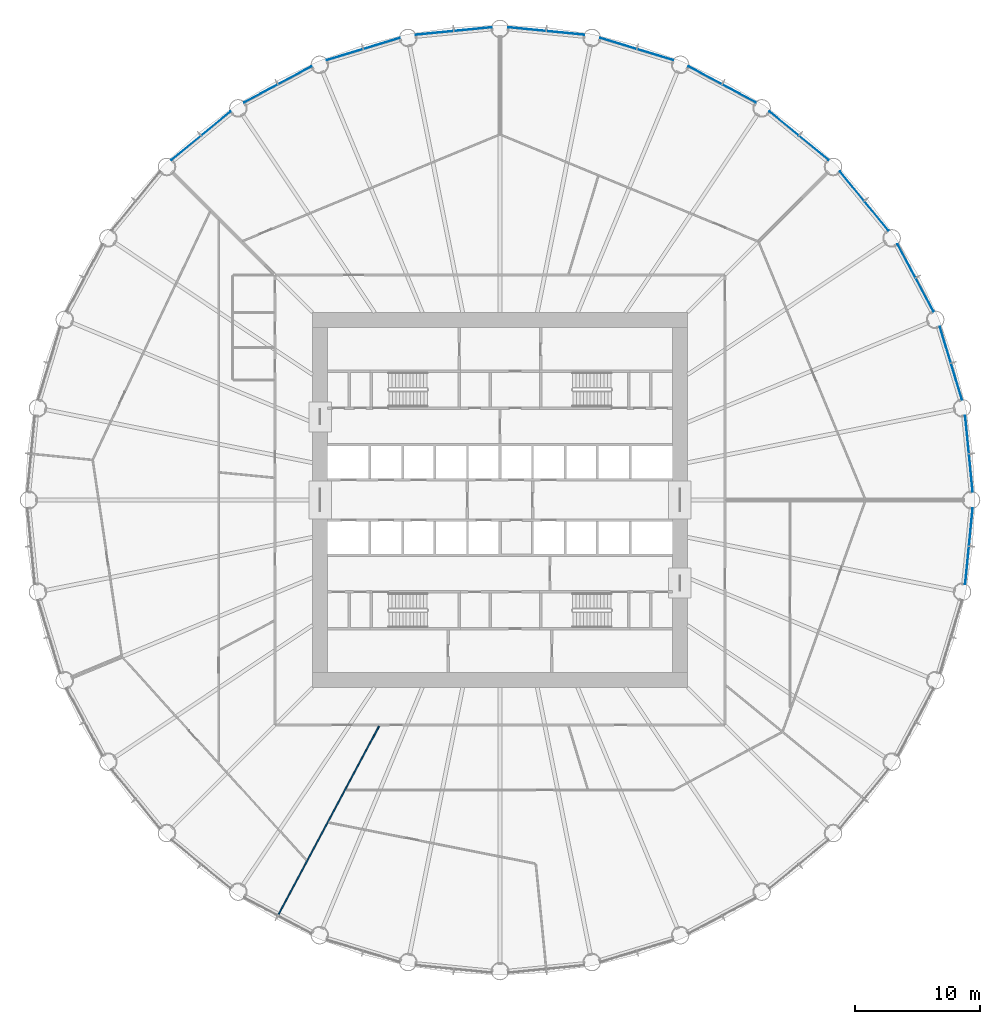
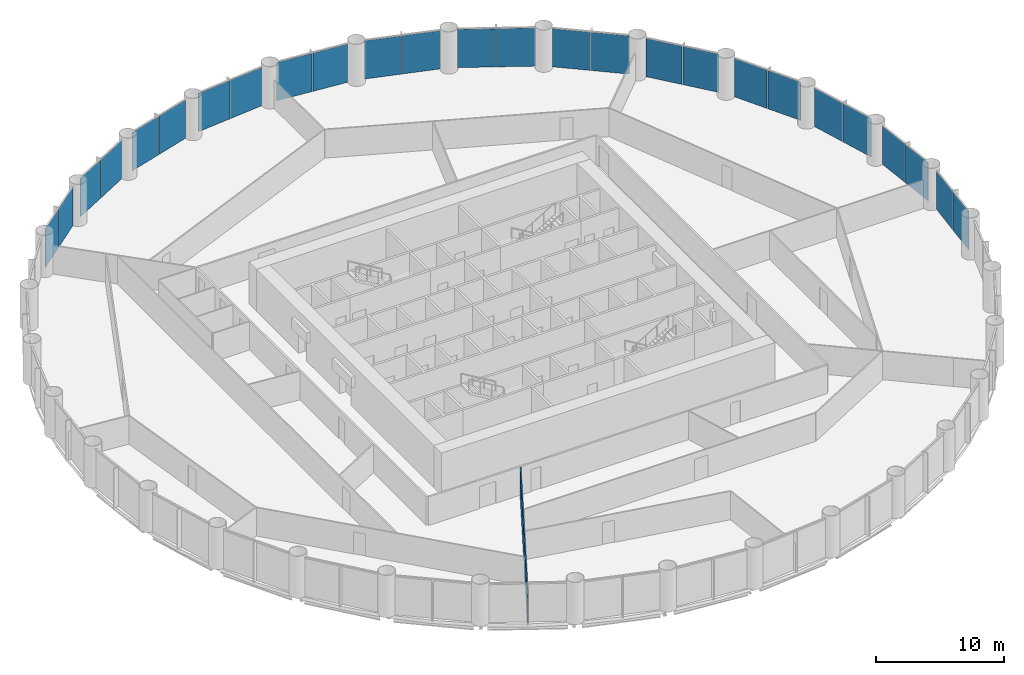
# One storey, part 9 of 15: 26 plates, 1 wall, 13 elements without a shape of their own.
"""IFC4 building model written with IfcOpenShell, lengths in metres."""

import ifcopenshell
import ifcopenshell.guid

model = None  # the IFC model being written
_history = None  # IfcOwnerHistory: only IFC2X3 demands one
_inside = {}  # id of a spatial element -> (the spatial element, [elements in it])
_under = {}  # id of a project, library or spatial element -> (it, [spatial elements below it])
_declared = {}  # id of a project -> (the project, [libraries it declares])
_typed = {}  # id of a type object -> (the type object, [elements of that type])
_made_of = {}  # id of a material, layer set ... -> (it, [elements and type objects made of it])


def new_model(schema):
    """Start an empty IFC model of exactly this schema.

    Asked for "IFC4X3", IfcOpenShell would pick the latest addendum, in which some entities
    have other attributes; the version numbers below select the first issue.
    IFC2X3 requires an IfcOwnerHistory on every rooted entity: one is made here for all.
    """
    global model, _history
    if schema == "IFC4X3":
        model = ifcopenshell.file(schema_version=(4, 3, 0, 0))
    else:
        model = ifcopenshell.file(schema=schema)
    _inside.clear()
    _under.clear()
    _declared.clear()
    _typed.clear()
    _made_of.clear()
    _history = None
    if model.schema == "IFC2X3":
        org = make("IfcOrganization", Name="unknown")
        user = make(
            "IfcPersonAndOrganization",
            ThePerson=make("IfcPerson", FamilyName="unknown"),
            TheOrganization=org,
        )
        app = make(
            "IfcApplication",
            ApplicationDeveloper=org,
            Version="unknown",
            ApplicationFullName="unknown",
            ApplicationIdentifier="unknown",
        )
        _history = make(
            "IfcOwnerHistory",
            OwningUser=user,
            OwningApplication=app,
            ChangeAction="ADDED",
            CreationDate=0,
        )
    return model


def make(cls, **values):
    """One entity of the class cls with the attributes given. An attribute that is None is left unset."""
    return model.create_entity(
        cls, **{name: value for name, value in values.items() if value is not None}
    )


def rooted(cls, **values):
    """An entity with a GlobalId (a new one), such as an element, a storey or a relation."""
    return make(cls, GlobalId=ifcopenshell.guid.new(), OwnerHistory=_history, **values)


def si_unit(unit_type, name, prefix=None):
    """IfcSIUnit, for example si_unit("LENGTHUNIT", "METRE", prefix="MILLI")."""
    return make("IfcSIUnit", UnitType=unit_type, Prefix=prefix, Name=name)


def assignment(units):
    """IfcUnitAssignment: the units of a project."""
    return None if units is None else make("IfcUnitAssignment", Units=units)


def point(xyz):
    """IfcCartesianPoint."""
    return None if xyz is None else make("IfcCartesianPoint", Coordinates=xyz)


def direction(xyz):
    """IfcDirection."""
    return None if xyz is None else make("IfcDirection", DirectionRatios=xyz)


def frame(location, z_axis=None, x_axis=None):
    """IfcAxis2Placement3D, a coordinate frame: its origin and axes. An axis left out is left unset."""
    return make(
        "IfcAxis2Placement3D",
        Location=point(location),
        Axis=direction(z_axis),
        RefDirection=direction(x_axis),
    )


def frame_2d(location, x_axis=None):
    """IfcAxis2Placement2D, a coordinate frame in the plane: its origin and x axis."""
    return make(
        "IfcAxis2Placement2D", Location=point(location), RefDirection=direction(x_axis)
    )


def origin():
    """The frame at (0, 0, 0) with its axes left unset."""
    return frame((0.0, 0.0, 0.0))


def origin_2d():
    """The frame at (0, 0) in the plane with its x axis left unset."""
    return frame_2d((0.0, 0.0))


def place(relative_to, where):
    """IfcLocalPlacement: puts the frame where relative to a parent placement (None: the world)."""
    return make(
        "IfcLocalPlacement", PlacementRelTo=relative_to, RelativePlacement=where
    )


def context(
    kind, dimensions, precision=None, world=None, true_north=None, identifier=None
):
    """IfcGeometricRepresentationContext, for example the 3D "Model" context."""
    return make(
        "IfcGeometricRepresentationContext",
        ContextIdentifier=identifier,
        ContextType=kind,
        CoordinateSpaceDimension=dimensions,
        Precision=precision,
        WorldCoordinateSystem=world,
        TrueNorth=true_north,
    )


def subcontext(parent, identifier, kind, view, scale=None):
    """IfcGeometricRepresentationSubContext, for example "Body" below "Model"."""
    return make(
        "IfcGeometricRepresentationSubContext",
        ContextIdentifier=identifier,
        ContextType=kind,
        ParentContext=parent,
        TargetScale=scale,
        TargetView=view,
    )


def project(units=None, contexts=None):
    """IfcProject with its units and contexts."""
    return rooted(
        "IfcProject",
        Name="project",
        RepresentationContexts=contexts,
        UnitsInContext=assignment(units),
    )


def spatial(cls, under=None, at=None, **own):
    """A site, building, storey or space (cls), placed at a placement, below another one or the project."""
    s = rooted(cls, ObjectPlacement=at, **own)
    if under is not None:
        _under.setdefault(under.id(), (under, []))[1].append(s)
    return s


def profile(cls, at=None, kind="AREA", **sizes):
    """A parametric profile (cls). Its sizes go by their IFC names, for example OverallWidth=200.0."""
    return make(cls, ProfileType=kind, Position=at, **sizes)


def rectangle(**sizes):
    """IfcRectangleProfileDef."""
    return profile("IfcRectangleProfileDef", **sizes)


def extrude(swept, where, along, depth):
    """IfcExtrudedAreaSolid: the profile swept, set in the frame where, extruded along a direction by depth."""
    return make(
        "IfcExtrudedAreaSolid",
        SweptArea=swept,
        Position=where,
        ExtrudedDirection=direction(along),
        Depth=depth,
    )


def shape(context_of_items, identifier, shape_type, items):
    """IfcShapeRepresentation: the items that make up one representation, for example the "Body"."""
    return make(
        "IfcShapeRepresentation",
        ContextOfItems=context_of_items,
        RepresentationIdentifier=identifier,
        RepresentationType=shape_type,
        Items=items,
    )


def material(Name=None, Category=None):
    """IfcMaterial."""
    return make("IfcMaterial", Name=Name, Category=Category)


def layer(
    of_material, thickness, ventilated=None, Name=None, Category=None, Priority=None
):
    """IfcMaterialLayer: one layer of a wall or slab, of a material (None: an air gap)."""
    return make(
        "IfcMaterialLayer",
        Material=of_material,
        LayerThickness=thickness,
        IsVentilated=ventilated,
        Name=Name,
        Category=Category,
        Priority=Priority,
    )


def layer_set(layers, Name=None):
    """IfcMaterialLayerSet."""
    return make("IfcMaterialLayerSet", MaterialLayers=layers, LayerSetName=Name)


def made_of(thing, what):
    """Note that an element or type object is made of a material, layer set ...; save() writes the relation."""
    if what is not None:
        _made_of.setdefault(what.id(), (what, []))[1].append(thing)
    return thing


def type_object(cls, material=None, **own):
    """A type object (cls), such as IfcWallType, which elements share."""
    return made_of(rooted(cls, **own), material)


def element(
    cls,
    number,
    at=None,
    inside=None,
    cuts=None,
    type_object=None,
    material=None,
    context=None,
    identifier="Body",
    shape_type=None,
    held_by="IfcProductDefinitionShape",
    body=None,
    shapes=None,
    **own,
):
    """One element of the class cls, such as IfcWall. Its Tag is "e" and its number.

    at: its placement. inside: the storey or other place that contains it. cuts: it is an
    opening in that element (IfcRelVoidsElement). A single representation is given by context,
    identifier, shape_type and body (its items); several are given by shapes. held_by: the class
    of the entity that holds the representations. save() writes the other relations.
    """
    e = rooted(cls, Tag="e%d" % number, ObjectPlacement=at, **own)
    if body is not None:
        shapes = [shape(context, identifier, shape_type, body)]
    if shapes is not None:
        e.Representation = make(held_by, Representations=shapes)
    if inside is not None:
        _inside.setdefault(inside.id(), (inside, []))[1].append(e)
    if cuts is not None:
        rooted(
            "IfcRelVoidsElement", RelatingBuildingElement=cuts, RelatedOpeningElement=e
        )
    if type_object is not None:
        _typed.setdefault(type_object.id(), (type_object, []))[1].append(e)
    return made_of(e, material)


def aggregate(whole, parts):
    """IfcRelAggregates: a whole, such as a stair, and the parts it consists of."""
    return rooted("IfcRelAggregates", RelatingObject=whole, RelatedObjects=parts)


def save(model, path):
    """Write the relations noted so far, then the file.

    IfcRelAggregates (storeys below a building ...), IfcRelContainedInSpatialStructure (elements
    in a storey), IfcRelDefinesByType, IfcRelAssociatesMaterial and IfcRelDeclares: one each for
    every whole, place, type object, material and project.
    """
    for whole, parts in _under.values():
        aggregate(whole, parts)
    for where, things in _inside.values():
        rooted(
            "IfcRelContainedInSpatialStructure",
            RelatedElements=things,
            RelatingStructure=where,
        )
    for kind, things in _typed.values():
        rooted("IfcRelDefinesByType", RelatedObjects=things, RelatingType=kind)
    for what, things in _made_of.values():
        rooted("IfcRelAssociatesMaterial", RelatedObjects=things, RelatingMaterial=what)
    for by, libraries in _declared.values():
        rooted("IfcRelDeclares", RelatingContext=by, RelatedDefinitions=libraries)
    model.write(path)


model = new_model("IFC4")

# Units and contexts
model_context = context("Model", 3, precision=1e-05, world=origin(), true_north=direction((0.0, 1.0)))
body_context = subcontext(model_context, "Body", "Model", "MODEL_VIEW")
ifc_project = project(units=[si_unit("LENGTHUNIT", "METRE"), si_unit("AREAUNIT", "SQUARE_METRE"), si_unit("VOLUMEUNIT", "CUBIC_METRE"), si_unit("PLANEANGLEUNIT", "RADIAN"), si_unit("MASSUNIT", "GRAM", prefix="KILO")], contexts=[model_context])

# Site, building, storey
site_placement = place(None, origin())
site = spatial("IfcSite", under=ifc_project, at=site_placement, CompositionType="ELEMENT")
building_placement = place(site_placement, origin())
building = spatial("IfcBuilding", under=site, at=building_placement, Name="Corvane Civic Tower", CompositionType="ELEMENT")
storey_placement = place(building_placement, frame((0.0, 0.0, 61.0)))
storey = spatial("IfcBuildingStorey", under=building, at=storey_placement, Name="L13", CompositionType="ELEMENT", Elevation=61.0)

# Curtain wall, plates
ifc_material_1 = material(Name="Anodised aluminium bronze", Category="aluminium")
curtain_wall_type = type_object("IfcCurtainWallType", Name="TOWER CW-T1 STICK CURTAIN WALL", PredefinedType="NOTDEFINED", material=ifc_material_1)
curtain_wall_1_placement = place(storey_placement, origin())
curtain_wall_1 = element("IfcCurtainWall", 1, at=curtain_wall_1_placement, inside=storey, type_object=curtain_wall_type, Name="Curtain wall CW-T1 L13 bay 01", PredefinedType="NOTDEFINED")
ifc_material_2 = material(Name="Tinted glass", Category="glass")
ifc_layer_1 = layer(ifc_material_2, 0.035888671875)
ifc_layer_set_1 = layer_set([ifc_layer_1], Name="Tinted glass")
plate_type = type_object("IfcPlateType", Name="TOWER CW-T1 PANEL IGU36", PredefinedType="CURTAIN_PANEL", material=ifc_layer_set_1)
plate_1_placement = place(storey_placement, frame((2.158203125, 37.667236328125, 0.0), z_axis=(0.0, 0.0, 1.0), x_axis=(0.995185800248, -0.098006239521, 0.0)))
plate_1 = element("IfcPlate", 2, at=plate_1_placement, type_object=plate_type, Name="Glass panel CW-T1 L13 01.1", PredefinedType="CURTAIN_PANEL", context=body_context, shape_type="SweptSolid", body=[
    extrude(rectangle(XDim=3.008544921875, YDim=0.035888671875, at=origin_2d()), origin(), (0.0, 0.0, 1.0), 3.6298828125),
])
plate_2_placement = place(storey_placement, frame((5.23193359375, 37.36474609375, 0.0), z_axis=(0.0, 0.0, 1.0), x_axis=(0.995185800248, -0.098006239521, 0.0)))
plate_2 = element("IfcPlate", 3, at=plate_2_placement, type_object=plate_type, Name="Glass panel CW-T1 L13 01.2", PredefinedType="CURTAIN_PANEL", context=body_context, shape_type="SweptSolid", body=[
    extrude(rectangle(XDim=3.008544921875, YDim=0.035888671875, at=origin_2d()), origin(), (0.0, 0.0, 1.0), 3.6298828125),
])
aggregate(curtain_wall_1, [plate_1, plate_2])

curtain_wall_2_placement = place(storey_placement, origin())
curtain_wall_2 = element("IfcCurtainWall", 4, at=curtain_wall_2_placement, inside=storey, type_object=curtain_wall_type, Name="Curtain wall CW-T1 L13 bay 02", PredefinedType="NOTDEFINED")
plate_3_placement = place(storey_placement, frame((9.46533203125, 36.522705078125, 0.0), z_axis=(0.0, 0.0, 1.0), x_axis=(0.956942240606, -0.290278397654, 0.0)))
plate_3 = element("IfcPlate", 5, at=plate_3_placement, type_object=plate_type, Name="Glass panel CW-T1 L13 02.1", PredefinedType="CURTAIN_PANEL", context=body_context, shape_type="SweptSolid", body=[
    extrude(rectangle(XDim=3.008544921875, YDim=0.035888671875, at=origin_2d()), origin(), (0.0, 0.0, 1.0), 3.6298828125),
])
plate_4_placement = place(storey_placement, frame((12.4208984375, 35.6259765625, 0.0), z_axis=(0.0, 0.0, 1.0), x_axis=(0.956942240606, -0.290278397654, 0.0)))
plate_4 = element("IfcPlate", 6, at=plate_4_placement, type_object=plate_type, Name="Glass panel CW-T1 L13 02.2", PredefinedType="CURTAIN_PANEL", context=body_context, shape_type="SweptSolid", body=[
    extrude(rectangle(XDim=3.008544921875, YDim=0.035888671875, at=origin_2d()), origin(), (0.0, 0.0, 1.0), 3.6298828125),
])
aggregate(curtain_wall_2, [plate_3, plate_4])

curtain_wall_3_placement = place(storey_placement, origin())
curtain_wall_3 = element("IfcCurtainWall", 7, at=curtain_wall_3_placement, inside=storey, type_object=curtain_wall_type, Name="Curtain wall CW-T1 L13 bay 03", PredefinedType="NOTDEFINED")
plate_5_placement = place(storey_placement, frame((16.40869140625, 33.974365234375, 0.0), z_axis=(0.0, 0.0, 1.0), x_axis=(0.881917528864, -0.471403725359, 0.0)))
plate_5 = element("IfcPlate", 8, at=plate_5_placement, type_object=plate_type, Name="Glass panel CW-T1 L13 03.1", PredefinedType="CURTAIN_PANEL", context=body_context, shape_type="SweptSolid", body=[
    extrude(rectangle(XDim=3.008544921875, YDim=0.035888671875, at=origin_2d()), origin(), (0.0, 0.0, 1.0), 3.6298828125),
])
plate_6_placement = place(storey_placement, frame((19.132568359375, 32.518310546875, 0.0), z_axis=(0.0, 0.0, 1.0), x_axis=(0.881917528864, -0.471403725359, 0.0)))
plate_6 = element("IfcPlate", 9, at=plate_6_placement, type_object=plate_type, Name="Glass panel CW-T1 L13 03.2", PredefinedType="CURTAIN_PANEL", context=body_context, shape_type="SweptSolid", body=[
    extrude(rectangle(XDim=3.008544921875, YDim=0.035888671875, at=origin_2d()), origin(), (0.0, 0.0, 1.0), 3.6298828125),
])
aggregate(curtain_wall_3, [plate_5, plate_6])

curtain_wall_4_placement = place(storey_placement, origin())
curtain_wall_4 = element("IfcCurtainWall", 10, at=curtain_wall_4_placement, inside=storey, type_object=curtain_wall_type, Name="Curtain wall CW-T1 L13 bay 04", PredefinedType="NOTDEFINED")
plate_7_placement = place(storey_placement, frame((22.721435546875, 30.120361328125, 0.0), z_axis=(0.0, 0.0, 1.0), x_axis=(0.773007224463, -0.634397218569, 0.0)))
plate_7 = element("IfcPlate", 11, at=plate_7_placement, type_object=plate_type, Name="Glass panel CW-T1 L13 04.1", PredefinedType="CURTAIN_PANEL", context=body_context, shape_type="SweptSolid", body=[
    extrude(rectangle(XDim=3.008544921875, YDim=0.035888671875, at=origin_2d()), origin(), (0.0, 0.0, 1.0), 3.6298828125),
])
plate_8_placement = place(storey_placement, frame((25.10888671875, 28.160888671875, 0.0), z_axis=(0.0, 0.0, 1.0), x_axis=(0.773007224463, -0.634397218569, 0.0)))
plate_8 = element("IfcPlate", 12, at=plate_8_placement, type_object=plate_type, Name="Glass panel CW-T1 L13 04.2", PredefinedType="CURTAIN_PANEL", context=body_context, shape_type="SweptSolid", body=[
    extrude(rectangle(XDim=3.008544921875, YDim=0.035888671875, at=origin_2d()), origin(), (0.0, 0.0, 1.0), 3.6298828125),
])
aggregate(curtain_wall_4, [plate_7, plate_8])

curtain_wall_5_placement = place(storey_placement, origin())
curtain_wall_5 = element("IfcCurtainWall", 13, at=curtain_wall_5_placement, inside=storey, type_object=curtain_wall_type, Name="Curtain wall CW-T1 L13 bay 05", PredefinedType="NOTDEFINED")
plate_9_placement = place(storey_placement, frame((28.160888671875, 25.10888671875, 0.0), z_axis=(0.0, 0.0, 1.0), x_axis=(0.634397218569, -0.773007224463, 0.0)))
plate_9 = element("IfcPlate", 14, at=plate_9_placement, type_object=plate_type, Name="Glass panel CW-T1 L13 05.1", PredefinedType="CURTAIN_PANEL", context=body_context, shape_type="SweptSolid", body=[
    extrude(rectangle(XDim=3.008544921875, YDim=0.035888671875, at=origin_2d()), origin(), (0.0, 0.0, 1.0), 3.6298828125),
])
plate_10_placement = place(storey_placement, frame((30.120361328125, 22.721435546875, 0.0), z_axis=(0.0, 0.0, 1.0), x_axis=(0.634397218569, -0.773007224463, 0.0)))
plate_10 = element("IfcPlate", 15, at=plate_10_placement, type_object=plate_type, Name="Glass panel CW-T1 L13 05.2", PredefinedType="CURTAIN_PANEL", context=body_context, shape_type="SweptSolid", body=[
    extrude(rectangle(XDim=3.008544921875, YDim=0.035888671875, at=origin_2d()), origin(), (0.0, 0.0, 1.0), 3.6298828125),
])
aggregate(curtain_wall_5, [plate_9, plate_10])

curtain_wall_6_placement = place(storey_placement, origin())
curtain_wall_6 = element("IfcCurtainWall", 16, at=curtain_wall_6_placement, inside=storey, type_object=curtain_wall_type, Name="Curtain wall CW-T1 L13 bay 06", PredefinedType="NOTDEFINED")
plate_11_placement = place(storey_placement, frame((32.518310546875, 19.132568359375, 0.0), z_axis=(0.0, 0.0, 1.0), x_axis=(0.471403725359, -0.881917528864, 0.0)))
plate_11 = element("IfcPlate", 17, at=plate_11_placement, type_object=plate_type, Name="Glass panel CW-T1 L13 06.1", PredefinedType="CURTAIN_PANEL", context=body_context, shape_type="SweptSolid", body=[
    extrude(rectangle(XDim=3.008544921875, YDim=0.035888671875, at=origin_2d()), origin(), (0.0, 0.0, 1.0), 3.6298828125),
])
plate_12_placement = place(storey_placement, frame((33.974365234375, 16.40869140625, 0.0), z_axis=(0.0, 0.0, 1.0), x_axis=(0.471403725359, -0.881917528864, 0.0)))
plate_12 = element("IfcPlate", 18, at=plate_12_placement, type_object=plate_type, Name="Glass panel CW-T1 L13 06.2", PredefinedType="CURTAIN_PANEL", context=body_context, shape_type="SweptSolid", body=[
    extrude(rectangle(XDim=3.008544921875, YDim=0.035888671875, at=origin_2d()), origin(), (0.0, 0.0, 1.0), 3.6298828125),
])
aggregate(curtain_wall_6, [plate_11, plate_12])

curtain_wall_7_placement = place(storey_placement, origin())
curtain_wall_7 = element("IfcCurtainWall", 19, at=curtain_wall_7_placement, inside=storey, type_object=curtain_wall_type, Name="Curtain wall CW-T1 L13 bay 07", PredefinedType="NOTDEFINED")
plate_13_placement = place(storey_placement, frame((35.6259765625, 12.4208984375, 0.0), z_axis=(0.0, 0.0, 1.0), x_axis=(0.290278397654, -0.956942240606, 0.0)))
plate_13 = element("IfcPlate", 20, at=plate_13_placement, type_object=plate_type, Name="Glass panel CW-T1 L13 07.1", PredefinedType="CURTAIN_PANEL", context=body_context, shape_type="SweptSolid", body=[
    extrude(rectangle(XDim=3.008544921875, YDim=0.035888671875, at=origin_2d()), origin(), (0.0, 0.0, 1.0), 3.6298828125),
])
plate_14_placement = place(storey_placement, frame((36.522705078125, 9.46533203125, 0.0), z_axis=(0.0, 0.0, 1.0), x_axis=(0.290278397654, -0.956942240606, 0.0)))
plate_14 = element("IfcPlate", 21, at=plate_14_placement, type_object=plate_type, Name="Glass panel CW-T1 L13 07.2", PredefinedType="CURTAIN_PANEL", context=body_context, shape_type="SweptSolid", body=[
    extrude(rectangle(XDim=3.008544921875, YDim=0.035888671875, at=origin_2d()), origin(), (0.0, 0.0, 1.0), 3.6298828125),
])
aggregate(curtain_wall_7, [plate_13, plate_14])

curtain_wall_8_placement = place(storey_placement, origin())
curtain_wall_8 = element("IfcCurtainWall", 22, at=curtain_wall_8_placement, inside=storey, type_object=curtain_wall_type, Name="Curtain wall CW-T1 L13 bay 08", PredefinedType="NOTDEFINED")
plate_15_placement = place(storey_placement, frame((37.36474609375, 5.23193359375, 0.0), z_axis=(0.0, 0.0, 1.0), x_axis=(0.098006239521, -0.995185800248, 0.0)))
plate_15 = element("IfcPlate", 23, at=plate_15_placement, type_object=plate_type, Name="Glass panel CW-T1 L13 08.1", PredefinedType="CURTAIN_PANEL", context=body_context, shape_type="SweptSolid", body=[
    extrude(rectangle(XDim=3.008544921875, YDim=0.035888671875, at=origin_2d()), origin(), (0.0, 0.0, 1.0), 3.6298828125),
])
plate_16_placement = place(storey_placement, frame((37.667236328125, 2.158203125, 0.0), z_axis=(0.0, 0.0, 1.0), x_axis=(0.098006239521, -0.995185800248, 0.0)))
plate_16 = element("IfcPlate", 24, at=plate_16_placement, type_object=plate_type, Name="Glass panel CW-T1 L13 08.2", PredefinedType="CURTAIN_PANEL", context=body_context, shape_type="SweptSolid", body=[
    extrude(rectangle(XDim=3.008544921875, YDim=0.035888671875, at=origin_2d()), origin(), (0.0, 0.0, 1.0), 3.6298828125),
])
aggregate(curtain_wall_8, [plate_15, plate_16])

curtain_wall_9_placement = place(storey_placement, origin())
curtain_wall_9 = element("IfcCurtainWall", 25, at=curtain_wall_9_placement, inside=storey, type_object=curtain_wall_type, Name="Curtain wall CW-T1 L13 bay 09", PredefinedType="NOTDEFINED")
plate_17_placement = place(storey_placement, frame((37.667236328125, -2.158203125, 0.0), z_axis=(0.0, 0.0, 1.0), x_axis=(-0.098006239521, -0.995185800248, 0.0)))
plate_17 = element("IfcPlate", 26, at=plate_17_placement, type_object=plate_type, Name="Glass panel CW-T1 L13 09.1", PredefinedType="CURTAIN_PANEL", context=body_context, shape_type="SweptSolid", body=[
    extrude(rectangle(XDim=3.008544921875, YDim=0.035888671875, at=origin_2d()), origin(), (0.0, 0.0, 1.0), 3.6298828125),
])
plate_18_placement = place(storey_placement, frame((37.36474609375, -5.23193359375, 0.0), z_axis=(0.0, 0.0, 1.0), x_axis=(-0.098006239521, -0.995185800248, 0.0)))
plate_18 = element("IfcPlate", 27, at=plate_18_placement, type_object=plate_type, Name="Glass panel CW-T1 L13 09.2", PredefinedType="CURTAIN_PANEL", context=body_context, shape_type="SweptSolid", body=[
    extrude(rectangle(XDim=3.008544921875, YDim=0.035888671875, at=origin_2d()), origin(), (0.0, 0.0, 1.0), 3.6298828125),
])
aggregate(curtain_wall_9, [plate_17, plate_18])

curtain_wall_10_placement = place(storey_placement, origin())
curtain_wall_10 = element("IfcCurtainWall", 28, at=curtain_wall_10_placement, inside=storey, type_object=curtain_wall_type, Name="Curtain wall CW-T1 L13 bay 29", PredefinedType="NOTDEFINED")
plate_19_placement = place(storey_placement, frame((-25.10888671875, 28.160888671875, 0.0), z_axis=(0.0, 0.0, 1.0), x_axis=(0.773007224463, 0.634397218569, 0.0)))
plate_19 = element("IfcPlate", 29, at=plate_19_placement, type_object=plate_type, Name="Glass panel CW-T1 L13 29.1", PredefinedType="CURTAIN_PANEL", context=body_context, shape_type="SweptSolid", body=[
    extrude(rectangle(XDim=3.008544921875, YDim=0.035888671875, at=origin_2d()), origin(), (0.0, 0.0, 1.0), 3.6298828125),
])
plate_20_placement = place(storey_placement, frame((-22.721435546875, 30.120361328125, 0.0), z_axis=(0.0, 0.0, 1.0), x_axis=(0.773007224463, 0.634397218569, 0.0)))
plate_20 = element("IfcPlate", 30, at=plate_20_placement, type_object=plate_type, Name="Glass panel CW-T1 L13 29.2", PredefinedType="CURTAIN_PANEL", context=body_context, shape_type="SweptSolid", body=[
    extrude(rectangle(XDim=3.008544921875, YDim=0.035888671875, at=origin_2d()), origin(), (0.0, 0.0, 1.0), 3.6298828125),
])
aggregate(curtain_wall_10, [plate_19, plate_20])

curtain_wall_11_placement = place(storey_placement, origin())
curtain_wall_11 = element("IfcCurtainWall", 31, at=curtain_wall_11_placement, inside=storey, type_object=curtain_wall_type, Name="Curtain wall CW-T1 L13 bay 30", PredefinedType="NOTDEFINED")
plate_21_placement = place(storey_placement, frame((-19.132568359375, 32.518310546875, 0.0), z_axis=(0.0, 0.0, 1.0), x_axis=(0.881917528864, 0.471403725359, 0.0)))
plate_21 = element("IfcPlate", 32, at=plate_21_placement, type_object=plate_type, Name="Glass panel CW-T1 L13 30.1", PredefinedType="CURTAIN_PANEL", context=body_context, shape_type="SweptSolid", body=[
    extrude(rectangle(XDim=3.008544921875, YDim=0.035888671875, at=origin_2d()), origin(), (0.0, 0.0, 1.0), 3.6298828125),
])
plate_22_placement = place(storey_placement, frame((-16.40869140625, 33.974365234375, 0.0), z_axis=(0.0, 0.0, 1.0), x_axis=(0.881917528864, 0.471403725359, 0.0)))
plate_22 = element("IfcPlate", 33, at=plate_22_placement, type_object=plate_type, Name="Glass panel CW-T1 L13 30.2", PredefinedType="CURTAIN_PANEL", context=body_context, shape_type="SweptSolid", body=[
    extrude(rectangle(XDim=3.008544921875, YDim=0.035888671875, at=origin_2d()), origin(), (0.0, 0.0, 1.0), 3.6298828125),
])
aggregate(curtain_wall_11, [plate_21, plate_22])

curtain_wall_12_placement = place(storey_placement, origin())
curtain_wall_12 = element("IfcCurtainWall", 34, at=curtain_wall_12_placement, inside=storey, type_object=curtain_wall_type, Name="Curtain wall CW-T1 L13 bay 31", PredefinedType="NOTDEFINED")
plate_23_placement = place(storey_placement, frame((-12.4208984375, 35.6259765625, 0.0), z_axis=(0.0, 0.0, 1.0), x_axis=(0.956942240606, 0.290278397654, 0.0)))
plate_23 = element("IfcPlate", 35, at=plate_23_placement, type_object=plate_type, Name="Glass panel CW-T1 L13 31.1", PredefinedType="CURTAIN_PANEL", context=body_context, shape_type="SweptSolid", body=[
    extrude(rectangle(XDim=3.008544921875, YDim=0.035888671875, at=origin_2d()), origin(), (0.0, 0.0, 1.0), 3.6298828125),
])
plate_24_placement = place(storey_placement, frame((-9.46533203125, 36.522705078125, 0.0), z_axis=(0.0, 0.0, 1.0), x_axis=(0.956942240606, 0.290278397654, 0.0)))
plate_24 = element("IfcPlate", 36, at=plate_24_placement, type_object=plate_type, Name="Glass panel CW-T1 L13 31.2", PredefinedType="CURTAIN_PANEL", context=body_context, shape_type="SweptSolid", body=[
    extrude(rectangle(XDim=3.008544921875, YDim=0.035888671875, at=origin_2d()), origin(), (0.0, 0.0, 1.0), 3.6298828125),
])
aggregate(curtain_wall_12, [plate_23, plate_24])

curtain_wall_13_placement = place(storey_placement, origin())
curtain_wall_13 = element("IfcCurtainWall", 37, at=curtain_wall_13_placement, inside=storey, type_object=curtain_wall_type, Name="Curtain wall CW-T1 L13 bay 32", PredefinedType="NOTDEFINED")
plate_25_placement = place(storey_placement, frame((-5.23193359375, 37.36474609375, 0.0), z_axis=(0.0, 0.0, 1.0), x_axis=(0.995185800248, 0.098006239521, 0.0)))
plate_25 = element("IfcPlate", 38, at=plate_25_placement, type_object=plate_type, Name="Glass panel CW-T1 L13 32.1", PredefinedType="CURTAIN_PANEL", context=body_context, shape_type="SweptSolid", body=[
    extrude(rectangle(XDim=3.008544921875, YDim=0.035888671875, at=origin_2d()), origin(), (0.0, 0.0, 1.0), 3.6298828125),
])
plate_26_placement = place(storey_placement, frame((-2.158203125, 37.667236328125, 0.0), z_axis=(0.0, 0.0, 1.0), x_axis=(0.995185800248, 0.098006239521, 0.0)))
plate_26 = element("IfcPlate", 39, at=plate_26_placement, type_object=plate_type, Name="Glass panel CW-T1 L13 32.2", PredefinedType="CURTAIN_PANEL", context=body_context, shape_type="SweptSolid", body=[
    extrude(rectangle(XDim=3.008544921875, YDim=0.035888671875, at=origin_2d()), origin(), (0.0, 0.0, 1.0), 3.6298828125),
])
aggregate(curtain_wall_13, [plate_25, plate_26])

# Wall
ifc_material_3 = material(Name="Plasterboard")
ifc_layer_2 = layer(ifc_material_3, 0.10009765625)
ifc_layer_set_2 = layer_set([ifc_layer_2], Name="Plasterboard")
wall_type = type_object("IfcWallType", Name="Partition 100 plasterboard on studs", PredefinedType="PARTITIONING", material=ifc_layer_set_2)
wall_placement = place(storey_placement, frame((-17.8896484375, -33.468994140625, 0.0), z_axis=(0.0, 0.0, 1.0), x_axis=(0.471405261517, 0.881916707753, 0.0)))
element("IfcWall", 40, at=wall_placement, inside=storey, type_object=wall_type, Name="Partition L13.002", PredefinedType="PARTITIONING", context=body_context, shape_type="SweptSolid", body=[
    extrude(rectangle(XDim=17.428466796875, YDim=0.10009765625, at=frame_2d((8.71435546875, 0.0))), origin(), (0.0, 0.0, 1.0), 2.699951171875),
])

save(model, "model.ifc")
